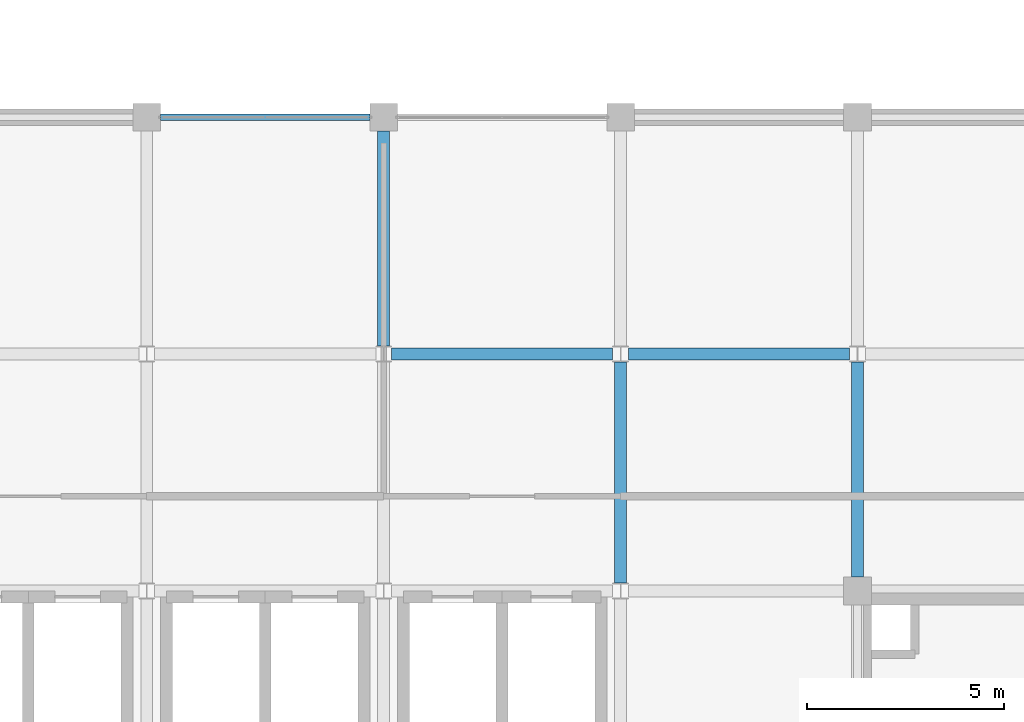
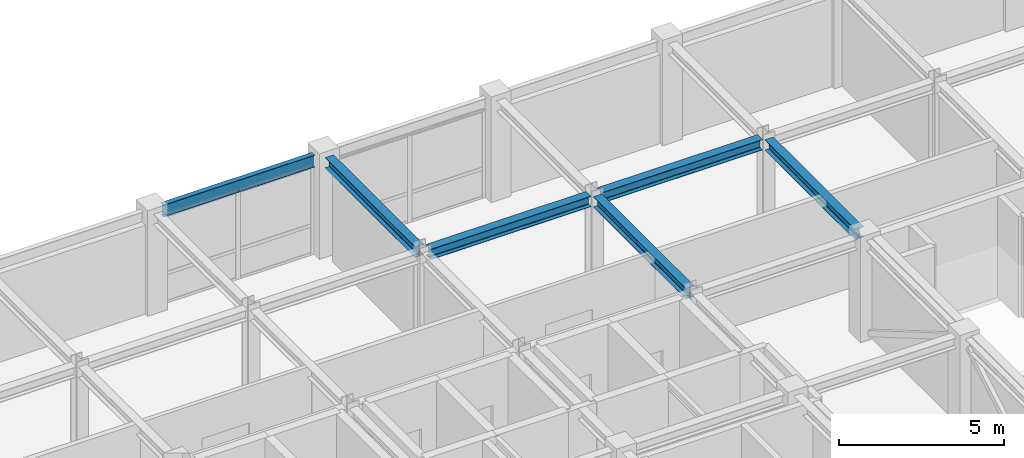
# One storey, part 16 of 25: 6 beams.
"""IFC4 building model written with IfcOpenShell, lengths in metres."""

from ifc_helpers import new_model, si_unit, direction, frame, origin, origin_2d, place, context, subcontext, project, spatial, i_section, extrude, material, material_profile, profile_set, type_object, element, save


model = new_model("IFC4")

# Units and contexts
model_context = context("Model", 3, precision=1e-05, world=origin(), true_north=direction((0.0, 1.0)))
body_context = subcontext(model_context, "Body", "Model", "MODEL_VIEW")
ifc_project = project(units=[si_unit("LENGTHUNIT", "METRE"), si_unit("AREAUNIT", "SQUARE_METRE"), si_unit("VOLUMEUNIT", "CUBIC_METRE"), si_unit("PLANEANGLEUNIT", "RADIAN"), si_unit("MASSUNIT", "GRAM", prefix="KILO")], contexts=[model_context])

# Site, building, storey
site_placement = place(None, origin())
site = spatial("IfcSite", under=ifc_project, at=site_placement, CompositionType="ELEMENT")
building_placement = place(site_placement, origin())
building = spatial("IfcBuilding", under=site, at=building_placement, Name="Zlatovratsky Civic Hall", CompositionType="ELEMENT")
storey_placement = place(building_placement, frame((0.0, 0.0, 21.0)))
storey = spatial("IfcBuildingStorey", under=building, at=storey_placement, Name="L05", CompositionType="ELEMENT", Elevation=21.0)

# Beams
ifc_material = material(Name="Steel S355", Category="steel")
ifc_material_profile_1 = material_profile(ifc_material, i_section(OverallWidth=0.169921875, OverallDepth=0.446044921875, WebThickness=0.007568359375, FlangeThickness=0.010986328125, FilletRadius=0.01611328125, at=origin_2d()), Name="45B1")
ifc_profile_set_1 = profile_set([ifc_material_profile_1], Name="Steel S355")
beam_type_1 = type_object("IfcBeamType", Name="Beam_Spandrel_45B1", PredefinedType="SPANDREL", material=ifc_profile_set_1)
beam_1_placement = place(storey_placement, frame((78.35009765625, 108.0, 3.47705078125), z_axis=(1.0, 0.0, 0.0), x_axis=(0.0, 1.0, 0.0)))
element("IfcBeam", 1, at=beam_1_placement, inside=storey, type_object=beam_type_1, Name="BM-3997", PredefinedType="SPANDREL", context=body_context, shape_type="SweptSolid", body=[
    extrude(i_section(OverallWidth=0.169921875, OverallDepth=0.446044921875, WebThickness=0.007568359375, FlangeThickness=0.010986328125, FilletRadius=0.01611328125, at=origin_2d()), origin(), (0.0, 0.0, 1.0), 5.2998046875),
])
ifc_material_profile_2 = material_profile(ifc_material, i_section(OverallWidth=0.300048828125, OverallDepth=0.387939453125, WebThickness=0.009521484375, FlangeThickness=0.013916015625, FilletRadius=0.02197265625, at=origin_2d()), Name="40Sh1")
ifc_profile_set_2 = profile_set([ifc_material_profile_2], Name="Steel S355")
beam_type_2 = type_object("IfcBeamType", Name="Beam_TowerMid_40Sh1", PredefinedType="BEAM", material=ifc_profile_set_2)
for number, where, z_axis, x_axis, name in (
    (2, (84.199951171875, 102.0, 3.506103515625), (1.0, 0.0, 0.0), (0.0, 1.0, 0.0), "BM-3984"),
    (3, (90.199951171875, 102.0, 3.506103515625), (1.0, 0.0, 0.0), (0.0, 1.0, 0.0), "BM-3985"),
):
    element("IfcBeam", number, at=place(storey_placement, frame(where, z_axis=z_axis, x_axis=x_axis)), inside=storey, type_object=beam_type_2, Name=name, PredefinedType="BEAM", context=body_context, shape_type="SweptSolid", body=[
        extrude(i_section(OverallWidth=0.300048828125, OverallDepth=0.387939453125, WebThickness=0.009521484375, FlangeThickness=0.013916015625, FilletRadius=0.02197265625, at=origin_2d()), origin(), (0.0, 0.0, 1.0), 5.60009765625),
    ])
beam_2_placement = place(storey_placement, frame((84.0, 102.199951171875, 3.506103515625), z_axis=(0.0, 1.0, 0.0), x_axis=(-1.0, 0.0, 0.0)))
element("IfcBeam", 4, at=beam_2_placement, inside=storey, type_object=beam_type_2, Name="BM-4052", PredefinedType="BEAM", context=body_context, shape_type="SweptSolid", body=[
    extrude(i_section(OverallWidth=0.300048828125, OverallDepth=0.387939453125, WebThickness=0.009521484375, FlangeThickness=0.013916015625, FilletRadius=0.02197265625, at=origin_2d()), origin(), (0.0, 0.0, 1.0), 5.449951171875),
])
beam_3_placement = place(storey_placement, frame((90.0, 96.199951171875, 3.506103515625), z_axis=(0.0, 1.0, 0.0), x_axis=(-1.0, 0.0, 0.0)))
element("IfcBeam", 5, at=beam_3_placement, inside=storey, type_object=beam_type_2, Name="BM-4057", PredefinedType="BEAM", context=body_context, shape_type="SweptSolid", body=[
    extrude(i_section(OverallWidth=0.300048828125, OverallDepth=0.387939453125, WebThickness=0.009521484375, FlangeThickness=0.013916015625, FilletRadius=0.02197265625, at=origin_2d()), origin(), (0.0, 0.0, 1.0), 5.60009765625),
])
beam_4_placement = place(storey_placement, frame((96.0, 96.35009765625, 3.506103515625), z_axis=(0.0, 1.0, 0.0), x_axis=(-1.0, 0.0, 0.0)))
element("IfcBeam", 6, at=beam_4_placement, inside=storey, type_object=beam_type_2, Name="BM-4063", PredefinedType="BEAM", context=body_context, shape_type="SweptSolid", body=[
    extrude(i_section(OverallWidth=0.300048828125, OverallDepth=0.387939453125, WebThickness=0.009521484375, FlangeThickness=0.013916015625, FilletRadius=0.02197265625, at=origin_2d()), origin(), (0.0, 0.0, 1.0), 5.449951171875),
])

save(model, "model.ifc")
